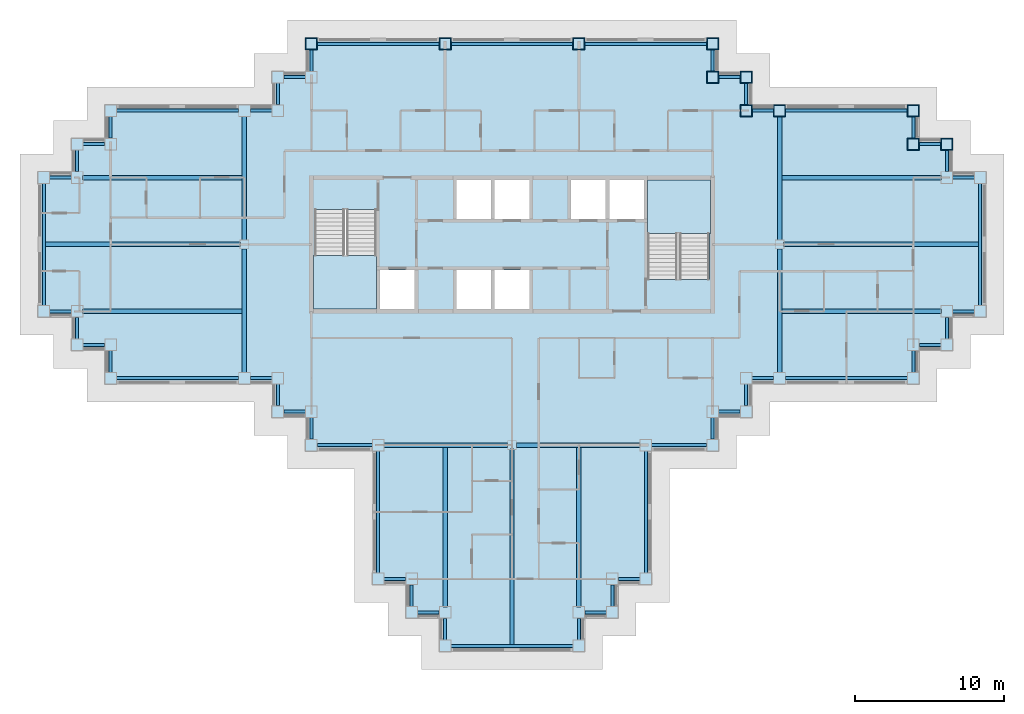
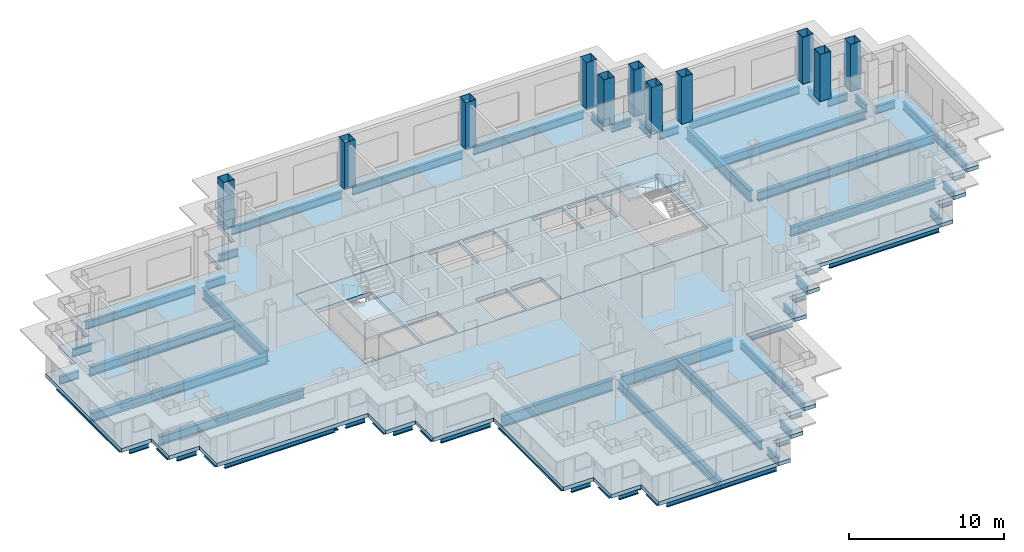
# One storey, part 2 of 13: 69 beams, 11 columns, 4 slabs, 2 elements without a shape of their own.
"""IFC4 building model written with IfcOpenShell, lengths in metres."""

from ifc_helpers import new_model, si_unit, direction, frame, origin, origin_2d, place, context, subcontext, project, spatial, polyline, hollow_rectangle, i_section, outline, extrude, material, layer, layer_set, material_profile, profile_set, type_object, element, aggregate, save


model = new_model("IFC4")

# Units and contexts
model_context = context("Model", 3, precision=1e-05, world=origin(), true_north=direction((0.0, 1.0)))
body_context = subcontext(model_context, "Body", "Model", "MODEL_VIEW")
ifc_project = project(units=[si_unit("LENGTHUNIT", "METRE"), si_unit("AREAUNIT", "SQUARE_METRE"), si_unit("VOLUMEUNIT", "CUBIC_METRE"), si_unit("PLANEANGLEUNIT", "RADIAN"), si_unit("MASSUNIT", "GRAM", prefix="KILO")], contexts=[model_context])

# Site, building, storey
site_placement = place(None, origin())
site = spatial("IfcSite", under=ifc_project, at=site_placement, CompositionType="ELEMENT")
building_placement = place(site_placement, origin())
building = spatial("IfcBuilding", under=site, at=building_placement, Name="Caravel Reach Hotel and Residences", CompositionType="ELEMENT")
storey_placement = place(building_placement, frame((0.0, 0.0, 154.300048828125)))
storey = spatial("IfcBuildingStorey", under=building, at=storey_placement, Name="L38", CompositionType="ELEMENT", Elevation=154.300048828125)

# Columns
ifc_material_1 = material(Name="Concrete-filled steel tube Q390B with Concrete C60 infill", Category="concrete")
ifc_material_profile_1 = material_profile(ifc_material_1, hollow_rectangle(XDim=0.800048828125, YDim=0.800048828125, WallThickness=0.02490234375, at=origin_2d()), Name="RHS 800x800x25")
ifc_profile_set_1 = profile_set([ifc_material_profile_1], Name="Concrete-filled steel tube Q390B with Concrete C60 infill")
column_type = type_object("IfcColumnType", Name="CFT 800x800 Q390B C60", PredefinedType="COLUMN", material=ifc_profile_set_1)
for number, where, z_axis, x_axis, name in (
    (1, (60.75, 33.75, 0.0), (0.0, 0.0, 1.0), (1.0, 0.0, 0.0), "C5 column"),
    (2, (58.5, 33.75, 0.0), (0.0, 0.0, 1.0), (1.0, 0.0, 0.0), "C5 column"),
    (3, (58.5, 36.0, 0.0), (0.0, 0.0, 1.0), (1.0, 0.0, 0.0), "C5 column"),
    (4, (49.5, 36.0, 0.0), (0.0, 0.0, 1.0), (1.0, 0.0, 0.0), "C5 column"),
    (5, (47.25, 36.0, 0.0), (0.0, 0.0, 1.0), (1.0, 0.0, 0.0), "C5 column"),
    (6, (47.25, 38.25, 0.0), (0.0, 0.0, 1.0), (1.0, 0.0, 0.0), "C5 column"),
    (7, (45.0, 38.25, 0.0), (0.0, 0.0, 1.0), (1.0, 0.0, 0.0), "C5 column"),
    (8, (45.0, 40.5, 0.0), (0.0, 0.0, 1.0), (1.0, 0.0, 0.0), "C5 column"),
    (9, (36.0, 40.5, 0.0), (0.0, 0.0, 1.0), (1.0, 0.0, 0.0), "C5 column"),
    (10, (27.0, 40.5, 0.0), (0.0, 0.0, 1.0), (1.0, 0.0, 0.0), "C5 column"),
    (11, (18.0, 40.5, 0.0), (0.0, 0.0, 1.0), (1.0, 0.0, 0.0), "C5 column"),
):
    element("IfcColumn", number, at=place(storey_placement, frame(where, z_axis=z_axis, x_axis=x_axis)), inside=storey, type_object=column_type, Name=name, PredefinedType="COLUMN", context=body_context, shape_type="SweptSolid", body=[
        extrude(hollow_rectangle(XDim=0.800048828125, YDim=0.800048828125, WallThickness=0.02490234375, at=origin_2d()), origin(), (0.0, 0.0, 1.0), 3.699951171875),
    ])

# Beams
ifc_material_2 = material(Name="Structural steel Q355B", Category="steel")
ifc_material_profile_2 = material_profile(ifc_material_2, i_section(OverallWidth=0.300048828125, OverallDepth=0.699951171875, WebThickness=0.012939453125, FlangeThickness=0.02392578125, FilletRadius=0.01806640625, at=origin_2d()), Name="HN 700x300x13x24")
ifc_profile_set_2 = profile_set([ifc_material_profile_2], Name="Structural steel Q355B")
beam_type_1 = type_object("IfcBeamType", Name="Beam HN 700x300x13x24", PredefinedType="BEAM", material=ifc_profile_set_2)
beam_1_placement = place(storey_placement, frame((27.0, 13.39990234375, -0.650146484375), z_axis=(0.0, -1.0, 0.0), x_axis=(1.0, 0.0, 0.0)))
element("IfcBeam", 12, at=beam_1_placement, inside=storey, type_object=beam_type_1, Name="B2 HN 700x300x13x24", PredefinedType="BEAM", context=body_context, shape_type="SweptSolid", body=[
    extrude(i_section(OverallWidth=0.300048828125, OverallDepth=0.699951171875, WebThickness=0.012939453125, FlangeThickness=0.02392578125, FilletRadius=0.01806640625, at=origin_2d()), origin(), (0.0, 0.0, 1.0), 10.7998046875),
])
beam_2_placement = place(storey_placement, frame((31.5, 13.25, -0.650146484375), z_axis=(0.0, -1.0, 0.0), x_axis=(1.0, 0.0, 0.0)))
element("IfcBeam", 13, at=beam_2_placement, inside=storey, type_object=beam_type_1, Name="B2 HN 700x300x13x24", PredefinedType="BEAM", context=body_context, shape_type="SweptSolid", body=[
    extrude(i_section(OverallWidth=0.300048828125, OverallDepth=0.699951171875, WebThickness=0.012939453125, FlangeThickness=0.02392578125, FilletRadius=0.01806640625, at=origin_2d()), origin(), (0.0, 0.0, 1.0), 13.14990234375),
])
for number, where, z_axis, x_axis, name in (
    (14, (36.0, 13.39990234375, -0.650146484375), (0.0, -1.0, 0.0), (1.0, 0.0, 0.0), "B2 HN 700x300x13x24"),
    (15, (49.60009765625, 22.5, -0.650146484375), (1.0, 0.0, 0.0), (0.0, 1.0, 0.0), "B2 HN 700x300x13x24"),
):
    element("IfcBeam", number, at=place(storey_placement, frame(where, z_axis=z_axis, x_axis=x_axis)), inside=storey, type_object=beam_type_1, Name=name, PredefinedType="BEAM", context=body_context, shape_type="SweptSolid", body=[
        extrude(i_section(OverallWidth=0.300048828125, OverallDepth=0.699951171875, WebThickness=0.012939453125, FlangeThickness=0.02392578125, FilletRadius=0.01806640625, at=origin_2d()), origin(), (0.0, 0.0, 1.0), 10.7998046875),
    ])
beam_3_placement = place(storey_placement, frame((49.75, 27.0, -0.650146484375), z_axis=(1.0, 0.0, 0.0), x_axis=(0.0, 1.0, 0.0)))
element("IfcBeam", 16, at=beam_3_placement, inside=storey, type_object=beam_type_1, Name="B2 HN 700x300x13x24", PredefinedType="BEAM", context=body_context, shape_type="SweptSolid", body=[
    extrude(i_section(OverallWidth=0.300048828125, OverallDepth=0.699951171875, WebThickness=0.012939453125, FlangeThickness=0.02392578125, FilletRadius=0.01806640625, at=origin_2d()), origin(), (0.0, 0.0, 1.0), 13.14990234375),
])
for number, where, z_axis, x_axis, name in (
    (17, (49.60009765625, 31.5, -0.650146484375), (1.0, 0.0, 0.0), (0.0, 1.0, 0.0), "B2 HN 700x300x13x24"),
    (18, (13.39990234375, 22.5, -0.650146484375), (-1.0, 0.0, 0.0), (0.0, -1.0, 0.0), "B2 HN 700x300x13x24"),
):
    element("IfcBeam", number, at=place(storey_placement, frame(where, z_axis=z_axis, x_axis=x_axis)), inside=storey, type_object=beam_type_1, Name=name, PredefinedType="BEAM", context=body_context, shape_type="SweptSolid", body=[
        extrude(i_section(OverallWidth=0.300048828125, OverallDepth=0.699951171875, WebThickness=0.012939453125, FlangeThickness=0.02392578125, FilletRadius=0.01806640625, at=origin_2d()), origin(), (0.0, 0.0, 1.0), 10.7998046875),
    ])
beam_4_placement = place(storey_placement, frame((13.25, 27.0, -0.650146484375), z_axis=(-1.0, 0.0, 0.0), x_axis=(0.0, -1.0, 0.0)))
element("IfcBeam", 19, at=beam_4_placement, inside=storey, type_object=beam_type_1, Name="B2 HN 700x300x13x24", PredefinedType="BEAM", context=body_context, shape_type="SweptSolid", body=[
    extrude(i_section(OverallWidth=0.300048828125, OverallDepth=0.699951171875, WebThickness=0.012939453125, FlangeThickness=0.02392578125, FilletRadius=0.01806640625, at=origin_2d()), origin(), (0.0, 0.0, 1.0), 13.14990234375),
])
beam_5_placement = place(storey_placement, frame((13.39990234375, 31.5, -0.650146484375), z_axis=(-1.0, 0.0, 0.0), x_axis=(0.0, -1.0, 0.0)))
element("IfcBeam", 20, at=beam_5_placement, inside=storey, type_object=beam_type_1, Name="B2 HN 700x300x13x24", PredefinedType="BEAM", context=body_context, shape_type="SweptSolid", body=[
    extrude(i_section(OverallWidth=0.300048828125, OverallDepth=0.699951171875, WebThickness=0.012939453125, FlangeThickness=0.02392578125, FilletRadius=0.01806640625, at=origin_2d()), origin(), (0.0, 0.0, 1.0), 10.7998046875),
])
ifc_material_3 = material(Name="Structural steel Q355B", Category="steel")
ifc_material_profile_3 = material_profile(ifc_material_3, i_section(OverallWidth=0.300048828125, OverallDepth=0.89990234375, WebThickness=0.01611328125, FlangeThickness=0.028076171875, FilletRadius=0.01806640625, at=origin_2d()), Name="HN 900x300x16x28")
ifc_profile_set_3 = profile_set([ifc_material_profile_3], Name="Structural steel Q355B")
beam_type_2 = type_object("IfcBeamType", Name="Beam HN 900x300x16x28", PredefinedType="BEAM", material=ifc_profile_set_3)
for number, where, z_axis, x_axis, name in (
    (21, (22.89990234375, 13.5, -0.75), (1.0, 0.0, 0.0), (0.0, 1.0, 0.0), "B3 HN 900x300x16x28"),
    (22, (31.800048828125, 13.5, -0.75), (1.0, 0.0, 0.0), (0.0, 1.0, 0.0), "B3 HN 900x300x16x28"),
    (23, (13.5, 18.39990234375, -0.75), (0.0, 1.0, 0.0), (-1.0, 0.0, 0.0), "B3 HN 900x300x16x28"),
    (24, (13.5, 27.300048828125, -0.75), (0.0, 1.0, 0.0), (-1.0, 0.0, 0.0), "B3 HN 900x300x16x28"),
    (25, (49.5, 18.39990234375, -0.75), (0.0, 1.0, 0.0), (-1.0, 0.0, 0.0), "B3 HN 900x300x16x28"),
    (26, (49.5, 27.300048828125, -0.75), (0.0, 1.0, 0.0), (-1.0, 0.0, 0.0), "B3 HN 900x300x16x28"),
):
    element("IfcBeam", number, at=place(storey_placement, frame(where, z_axis=z_axis, x_axis=x_axis)), inside=storey, type_object=beam_type_2, Name=name, PredefinedType="BEAM", context=body_context, shape_type="SweptSolid", body=[
        extrude(i_section(OverallWidth=0.300048828125, OverallDepth=0.89990234375, WebThickness=0.01611328125, FlangeThickness=0.028076171875, FilletRadius=0.01806640625, at=origin_2d()), origin(), (0.0, 0.0, 1.0), 8.300048828125),
    ])
ifc_material_4 = material(Name="Structural steel Q355B", Category="steel")
ifc_material_profile_4 = material_profile(ifc_material_4, i_section(OverallWidth=0.199951171875, OverallDepth=0.60009765625, WebThickness=0.010986328125, FlangeThickness=0.01708984375, FilletRadius=0.012939453125, at=origin_2d()), Name="HN 600x200x11x17")
ifc_profile_set_4 = profile_set([ifc_material_profile_4], Name="Structural steel Q355B")
beam_type_3 = type_object("IfcBeamType", Name="Spandrel beam HN 600x200x11x17", PredefinedType="SPANDREL", material=ifc_profile_set_4)
for number, where, z_axis, x_axis, name in (
    (27, (22.89990234375, 4.5, -0.60009765625), (1.0, 0.0, 0.0), (0.0, 1.0, 0.0), "SP1 HN 600x200x11x17"),
    (28, (24.75, 4.10009765625, -0.60009765625), (0.0, -1.0, 0.0), (1.0, 0.0, 0.0), "SP1 HN 600x200x11x17"),
    (29, (25.14990234375, 2.25, -0.60009765625), (1.0, 0.0, 0.0), (0.0, 1.0, 0.0), "SP1 HN 600x200x11x17"),
    (30, (27.0, 1.85009765625, -0.60009765625), (0.0, -1.0, 0.0), (1.0, 0.0, 0.0), "SP1 HN 600x200x11x17"),
):
    element("IfcBeam", number, at=place(storey_placement, frame(where, z_axis=z_axis, x_axis=x_axis)), inside=storey, type_object=beam_type_3, Name=name, PredefinedType="SPANDREL", context=body_context, shape_type="SweptSolid", body=[
        extrude(i_section(OverallWidth=0.199951171875, OverallDepth=0.60009765625, WebThickness=0.010986328125, FlangeThickness=0.01708984375, FilletRadius=0.012939453125, at=origin_2d()), origin(), (0.0, 0.0, 1.0), 1.4501953125),
    ])
beam_6_placement = place(storey_placement, frame((27.39990234375, 0.0, -0.60009765625), z_axis=(1.0, 0.0, 0.0), x_axis=(0.0, 1.0, 0.0)))
element("IfcBeam", 31, at=beam_6_placement, inside=storey, type_object=beam_type_3, Name="SP1 HN 600x200x11x17", PredefinedType="SPANDREL", context=body_context, shape_type="SweptSolid", body=[
    extrude(i_section(OverallWidth=0.199951171875, OverallDepth=0.60009765625, WebThickness=0.010986328125, FlangeThickness=0.01708984375, FilletRadius=0.012939453125, at=origin_2d()), origin(), (0.0, 0.0, 1.0), 8.2001953125),
])
for number, where, z_axis, x_axis, name in (
    (32, (36.0, 0.39990234375, -0.60009765625), (0.0, 1.0, 0.0), (-1.0, 0.0, 0.0), "SP1 HN 600x200x11x17"),
    (33, (36.39990234375, 2.25, -0.60009765625), (1.0, 0.0, 0.0), (0.0, 1.0, 0.0), "SP1 HN 600x200x11x17"),
    (34, (38.25, 2.64990234375, -0.60009765625), (0.0, 1.0, 0.0), (-1.0, 0.0, 0.0), "SP1 HN 600x200x11x17"),
    (35, (38.64990234375, 4.5, -0.60009765625), (1.0, 0.0, 0.0), (0.0, 1.0, 0.0), "SP1 HN 600x200x11x17"),
):
    element("IfcBeam", number, at=place(storey_placement, frame(where, z_axis=z_axis, x_axis=x_axis)), inside=storey, type_object=beam_type_3, Name=name, PredefinedType="SPANDREL", context=body_context, shape_type="SweptSolid", body=[
        extrude(i_section(OverallWidth=0.199951171875, OverallDepth=0.60009765625, WebThickness=0.010986328125, FlangeThickness=0.01708984375, FilletRadius=0.012939453125, at=origin_2d()), origin(), (0.0, 0.0, 1.0), 1.4501953125),
    ])
beam_7_placement = place(storey_placement, frame((40.5, 4.89990234375, -0.60009765625), z_axis=(0.0, 1.0, 0.0), x_axis=(-1.0, 0.0, 0.0)))
element("IfcBeam", 36, at=beam_7_placement, inside=storey, type_object=beam_type_3, Name="SP1 HN 600x200x11x17", PredefinedType="SPANDREL", context=body_context, shape_type="SweptSolid", body=[
    extrude(i_section(OverallWidth=0.199951171875, OverallDepth=0.60009765625, WebThickness=0.010986328125, FlangeThickness=0.01708984375, FilletRadius=0.012939453125, at=origin_2d()), origin(), (0.0, 0.0, 1.0), 8.2001953125),
])
beam_8_placement = place(storey_placement, frame((40.89990234375, 13.5, -0.60009765625), z_axis=(1.0, 0.0, 0.0), x_axis=(0.0, 1.0, 0.0)))
element("IfcBeam", 37, at=beam_8_placement, inside=storey, type_object=beam_type_3, Name="SP1 HN 600x200x11x17", PredefinedType="SPANDREL", context=body_context, shape_type="SweptSolid", body=[
    extrude(i_section(OverallWidth=0.199951171875, OverallDepth=0.60009765625, WebThickness=0.010986328125, FlangeThickness=0.01708984375, FilletRadius=0.012939453125, at=origin_2d()), origin(), (0.0, 0.0, 1.0), 3.7001953125),
])
for number, where, z_axis, x_axis, name in (
    (38, (45.0, 13.89990234375, -0.60009765625), (0.0, 1.0, 0.0), (-1.0, 0.0, 0.0), "SP1 HN 600x200x11x17"),
    (39, (45.39990234375, 15.75, -0.60009765625), (1.0, 0.0, 0.0), (0.0, 1.0, 0.0), "SP1 HN 600x200x11x17"),
    (40, (47.25, 16.14990234375, -0.60009765625), (0.0, 1.0, 0.0), (-1.0, 0.0, 0.0), "SP1 HN 600x200x11x17"),
    (41, (47.64990234375, 18.0, -0.60009765625), (1.0, 0.0, 0.0), (0.0, 1.0, 0.0), "SP1 HN 600x200x11x17"),
):
    element("IfcBeam", number, at=place(storey_placement, frame(where, z_axis=z_axis, x_axis=x_axis)), inside=storey, type_object=beam_type_3, Name=name, PredefinedType="SPANDREL", context=body_context, shape_type="SweptSolid", body=[
        extrude(i_section(OverallWidth=0.199951171875, OverallDepth=0.60009765625, WebThickness=0.010986328125, FlangeThickness=0.01708984375, FilletRadius=0.012939453125, at=origin_2d()), origin(), (0.0, 0.0, 1.0), 1.4501953125),
    ])
beam_9_placement = place(storey_placement, frame((49.89990234375, 18.0, -0.60009765625), z_axis=(1.0, 0.0, 0.0), x_axis=(0.0, 1.0, 0.0)))
element("IfcBeam", 42, at=beam_9_placement, inside=storey, type_object=beam_type_3, Name="SP1 HN 600x200x11x17", PredefinedType="SPANDREL", context=body_context, shape_type="SweptSolid", body=[
    extrude(i_section(OverallWidth=0.199951171875, OverallDepth=0.60009765625, WebThickness=0.010986328125, FlangeThickness=0.01708984375, FilletRadius=0.012939453125, at=origin_2d()), origin(), (0.0, 0.0, 1.0), 8.2001953125),
])
for number, where, z_axis, x_axis, name in (
    (43, (58.5, 18.39990234375, -0.60009765625), (0.0, 1.0, 0.0), (-1.0, 0.0, 0.0), "SP1 HN 600x200x11x17"),
    (44, (58.89990234375, 20.25, -0.60009765625), (1.0, 0.0, 0.0), (0.0, 1.0, 0.0), "SP1 HN 600x200x11x17"),
    (45, (60.75, 20.64990234375, -0.60009765625), (0.0, 1.0, 0.0), (-1.0, 0.0, 0.0), "SP1 HN 600x200x11x17"),
    (46, (61.14990234375, 22.5, -0.60009765625), (1.0, 0.0, 0.0), (0.0, 1.0, 0.0), "SP1 HN 600x200x11x17"),
):
    element("IfcBeam", number, at=place(storey_placement, frame(where, z_axis=z_axis, x_axis=x_axis)), inside=storey, type_object=beam_type_3, Name=name, PredefinedType="SPANDREL", context=body_context, shape_type="SweptSolid", body=[
        extrude(i_section(OverallWidth=0.199951171875, OverallDepth=0.60009765625, WebThickness=0.010986328125, FlangeThickness=0.01708984375, FilletRadius=0.012939453125, at=origin_2d()), origin(), (0.0, 0.0, 1.0), 1.4501953125),
    ])
beam_10_placement = place(storey_placement, frame((63.0, 22.89990234375, -0.60009765625), z_axis=(0.0, 1.0, 0.0), x_axis=(-1.0, 0.0, 0.0)))
element("IfcBeam", 47, at=beam_10_placement, inside=storey, type_object=beam_type_3, Name="SP1 HN 600x200x11x17", PredefinedType="SPANDREL", context=body_context, shape_type="SweptSolid", body=[
    extrude(i_section(OverallWidth=0.199951171875, OverallDepth=0.60009765625, WebThickness=0.010986328125, FlangeThickness=0.01708984375, FilletRadius=0.012939453125, at=origin_2d()), origin(), (0.0, 0.0, 1.0), 8.2001953125),
])
for number, where, z_axis, x_axis, name in (
    (48, (62.60009765625, 31.5, -0.60009765625), (-1.0, 0.0, 0.0), (0.0, -1.0, 0.0), "SP1 HN 600x200x11x17"),
    (49, (60.75, 31.89990234375, -0.60009765625), (0.0, 1.0, 0.0), (-1.0, 0.0, 0.0), "SP1 HN 600x200x11x17"),
    (50, (60.35009765625, 33.75, -0.60009765625), (-1.0, 0.0, 0.0), (0.0, -1.0, 0.0), "SP1 HN 600x200x11x17"),
    (51, (58.5, 34.14990234375, -0.60009765625), (0.0, 1.0, 0.0), (-1.0, 0.0, 0.0), "SP1 HN 600x200x11x17"),
):
    element("IfcBeam", number, at=place(storey_placement, frame(where, z_axis=z_axis, x_axis=x_axis)), inside=storey, type_object=beam_type_3, Name=name, PredefinedType="SPANDREL", context=body_context, shape_type="SweptSolid", body=[
        extrude(i_section(OverallWidth=0.199951171875, OverallDepth=0.60009765625, WebThickness=0.010986328125, FlangeThickness=0.01708984375, FilletRadius=0.012939453125, at=origin_2d()), origin(), (0.0, 0.0, 1.0), 1.4501953125),
    ])
beam_11_placement = place(storey_placement, frame((58.10009765625, 36.0, -0.60009765625), z_axis=(-1.0, 0.0, 0.0), x_axis=(0.0, -1.0, 0.0)))
element("IfcBeam", 52, at=beam_11_placement, inside=storey, type_object=beam_type_3, Name="SP1 HN 600x200x11x17", PredefinedType="SPANDREL", context=body_context, shape_type="SweptSolid", body=[
    extrude(i_section(OverallWidth=0.199951171875, OverallDepth=0.60009765625, WebThickness=0.010986328125, FlangeThickness=0.01708984375, FilletRadius=0.012939453125, at=origin_2d()), origin(), (0.0, 0.0, 1.0), 8.2001953125),
])
for number, where, z_axis, x_axis, name in (
    (53, (49.10009765625, 36.0, -0.60009765625), (-1.0, 0.0, 0.0), (0.0, -1.0, 0.0), "SP1 HN 600x200x11x17"),
    (54, (47.25, 36.39990234375, -0.60009765625), (0.0, 1.0, 0.0), (-1.0, 0.0, 0.0), "SP1 HN 600x200x11x17"),
    (55, (46.85009765625, 38.25, -0.60009765625), (-1.0, 0.0, 0.0), (0.0, -1.0, 0.0), "SP1 HN 600x200x11x17"),
    (56, (45.0, 38.64990234375, -0.60009765625), (0.0, 1.0, 0.0), (-1.0, 0.0, 0.0), "SP1 HN 600x200x11x17"),
):
    element("IfcBeam", number, at=place(storey_placement, frame(where, z_axis=z_axis, x_axis=x_axis)), inside=storey, type_object=beam_type_3, Name=name, PredefinedType="SPANDREL", context=body_context, shape_type="SweptSolid", body=[
        extrude(i_section(OverallWidth=0.199951171875, OverallDepth=0.60009765625, WebThickness=0.010986328125, FlangeThickness=0.01708984375, FilletRadius=0.012939453125, at=origin_2d()), origin(), (0.0, 0.0, 1.0), 1.4501953125),
    ])
for number, where, z_axis, x_axis, name in (
    (57, (44.60009765625, 40.5, -0.60009765625), (-1.0, 0.0, 0.0), (0.0, -1.0, 0.0), "SP1 HN 600x200x11x17"),
    (58, (35.60009765625, 40.5, -0.60009765625), (-1.0, 0.0, 0.0), (0.0, -1.0, 0.0), "SP1 HN 600x200x11x17"),
    (59, (26.60009765625, 40.5, -0.60009765625), (-1.0, 0.0, 0.0), (0.0, -1.0, 0.0), "SP1 HN 600x200x11x17"),
):
    element("IfcBeam", number, at=place(storey_placement, frame(where, z_axis=z_axis, x_axis=x_axis)), inside=storey, type_object=beam_type_3, Name=name, PredefinedType="SPANDREL", context=body_context, shape_type="SweptSolid", body=[
        extrude(i_section(OverallWidth=0.199951171875, OverallDepth=0.60009765625, WebThickness=0.010986328125, FlangeThickness=0.01708984375, FilletRadius=0.012939453125, at=origin_2d()), origin(), (0.0, 0.0, 1.0), 8.2001953125),
    ])
for number, where, z_axis, x_axis, name in (
    (60, (18.0, 40.10009765625, -0.60009765625), (0.0, -1.0, 0.0), (1.0, 0.0, 0.0), "SP1 HN 600x200x11x17"),
    (61, (17.60009765625, 38.25, -0.60009765625), (-1.0, 0.0, 0.0), (0.0, -1.0, 0.0), "SP1 HN 600x200x11x17"),
    (62, (15.75, 37.85009765625, -0.60009765625), (0.0, -1.0, 0.0), (1.0, 0.0, 0.0), "SP1 HN 600x200x11x17"),
    (63, (15.35009765625, 36.0, -0.60009765625), (-1.0, 0.0, 0.0), (0.0, -1.0, 0.0), "SP1 HN 600x200x11x17"),
):
    element("IfcBeam", number, at=place(storey_placement, frame(where, z_axis=z_axis, x_axis=x_axis)), inside=storey, type_object=beam_type_3, Name=name, PredefinedType="SPANDREL", context=body_context, shape_type="SweptSolid", body=[
        extrude(i_section(OverallWidth=0.199951171875, OverallDepth=0.60009765625, WebThickness=0.010986328125, FlangeThickness=0.01708984375, FilletRadius=0.012939453125, at=origin_2d()), origin(), (0.0, 0.0, 1.0), 1.4501953125),
    ])
beam_12_placement = place(storey_placement, frame((13.10009765625, 36.0, -0.60009765625), z_axis=(-1.0, 0.0, 0.0), x_axis=(0.0, -1.0, 0.0)))
element("IfcBeam", 64, at=beam_12_placement, inside=storey, type_object=beam_type_3, Name="SP1 HN 600x200x11x17", PredefinedType="SPANDREL", context=body_context, shape_type="SweptSolid", body=[
    extrude(i_section(OverallWidth=0.199951171875, OverallDepth=0.60009765625, WebThickness=0.010986328125, FlangeThickness=0.01708984375, FilletRadius=0.012939453125, at=origin_2d()), origin(), (0.0, 0.0, 1.0), 8.2001953125),
])
for number, where, z_axis, x_axis, name in (
    (65, (4.5, 35.60009765625, -0.60009765625), (0.0, -1.0, 0.0), (1.0, 0.0, 0.0), "SP1 HN 600x200x11x17"),
    (66, (4.10009765625, 33.75, -0.60009765625), (-1.0, 0.0, 0.0), (0.0, -1.0, 0.0), "SP1 HN 600x200x11x17"),
    (67, (2.25, 33.35009765625, -0.60009765625), (0.0, -1.0, 0.0), (1.0, 0.0, 0.0), "SP1 HN 600x200x11x17"),
    (68, (1.85009765625, 31.5, -0.60009765625), (-1.0, 0.0, 0.0), (0.0, -1.0, 0.0), "SP1 HN 600x200x11x17"),
):
    element("IfcBeam", number, at=place(storey_placement, frame(where, z_axis=z_axis, x_axis=x_axis)), inside=storey, type_object=beam_type_3, Name=name, PredefinedType="SPANDREL", context=body_context, shape_type="SweptSolid", body=[
        extrude(i_section(OverallWidth=0.199951171875, OverallDepth=0.60009765625, WebThickness=0.010986328125, FlangeThickness=0.01708984375, FilletRadius=0.012939453125, at=origin_2d()), origin(), (0.0, 0.0, 1.0), 1.4501953125),
    ])
beam_13_placement = place(storey_placement, frame((0.0, 31.10009765625, -0.60009765625), z_axis=(0.0, -1.0, 0.0), x_axis=(1.0, 0.0, 0.0)))
element("IfcBeam", 69, at=beam_13_placement, inside=storey, type_object=beam_type_3, Name="SP1 HN 600x200x11x17", PredefinedType="SPANDREL", context=body_context, shape_type="SweptSolid", body=[
    extrude(i_section(OverallWidth=0.199951171875, OverallDepth=0.60009765625, WebThickness=0.010986328125, FlangeThickness=0.01708984375, FilletRadius=0.012939453125, at=origin_2d()), origin(), (0.0, 0.0, 1.0), 8.2001953125),
])
for number, where, z_axis, x_axis, name in (
    (70, (0.39990234375, 22.5, -0.60009765625), (1.0, 0.0, 0.0), (0.0, 1.0, 0.0), "SP1 HN 600x200x11x17"),
    (71, (2.25, 22.10009765625, -0.60009765625), (0.0, -1.0, 0.0), (1.0, 0.0, 0.0), "SP1 HN 600x200x11x17"),
    (72, (2.64990234375, 20.25, -0.60009765625), (1.0, 0.0, 0.0), (0.0, 1.0, 0.0), "SP1 HN 600x200x11x17"),
    (73, (4.5, 19.85009765625, -0.60009765625), (0.0, -1.0, 0.0), (1.0, 0.0, 0.0), "SP1 HN 600x200x11x17"),
):
    element("IfcBeam", number, at=place(storey_placement, frame(where, z_axis=z_axis, x_axis=x_axis)), inside=storey, type_object=beam_type_3, Name=name, PredefinedType="SPANDREL", context=body_context, shape_type="SweptSolid", body=[
        extrude(i_section(OverallWidth=0.199951171875, OverallDepth=0.60009765625, WebThickness=0.010986328125, FlangeThickness=0.01708984375, FilletRadius=0.012939453125, at=origin_2d()), origin(), (0.0, 0.0, 1.0), 1.4501953125),
    ])
beam_14_placement = place(storey_placement, frame((4.89990234375, 18.0, -0.60009765625), z_axis=(1.0, 0.0, 0.0), x_axis=(0.0, 1.0, 0.0)))
element("IfcBeam", 74, at=beam_14_placement, inside=storey, type_object=beam_type_3, Name="SP1 HN 600x200x11x17", PredefinedType="SPANDREL", context=body_context, shape_type="SweptSolid", body=[
    extrude(i_section(OverallWidth=0.199951171875, OverallDepth=0.60009765625, WebThickness=0.010986328125, FlangeThickness=0.01708984375, FilletRadius=0.012939453125, at=origin_2d()), origin(), (0.0, 0.0, 1.0), 8.2001953125),
])
for number, where, z_axis, x_axis, name in (
    (75, (13.89990234375, 18.0, -0.60009765625), (1.0, 0.0, 0.0), (0.0, 1.0, 0.0), "SP1 HN 600x200x11x17"),
    (76, (15.75, 17.60009765625, -0.60009765625), (0.0, -1.0, 0.0), (1.0, 0.0, 0.0), "SP1 HN 600x200x11x17"),
    (77, (16.14990234375, 15.75, -0.60009765625), (1.0, 0.0, 0.0), (0.0, 1.0, 0.0), "SP1 HN 600x200x11x17"),
    (78, (18.0, 15.35009765625, -0.60009765625), (0.0, -1.0, 0.0), (1.0, 0.0, 0.0), "SP1 HN 600x200x11x17"),
):
    element("IfcBeam", number, at=place(storey_placement, frame(where, z_axis=z_axis, x_axis=x_axis)), inside=storey, type_object=beam_type_3, Name=name, PredefinedType="SPANDREL", context=body_context, shape_type="SweptSolid", body=[
        extrude(i_section(OverallWidth=0.199951171875, OverallDepth=0.60009765625, WebThickness=0.010986328125, FlangeThickness=0.01708984375, FilletRadius=0.012939453125, at=origin_2d()), origin(), (0.0, 0.0, 1.0), 1.4501953125),
    ])
beam_15_placement = place(storey_placement, frame((18.39990234375, 13.5, -0.60009765625), z_axis=(1.0, 0.0, 0.0), x_axis=(0.0, 1.0, 0.0)))
element("IfcBeam", 79, at=beam_15_placement, inside=storey, type_object=beam_type_3, Name="SP1 HN 600x200x11x17", PredefinedType="SPANDREL", context=body_context, shape_type="SweptSolid", body=[
    extrude(i_section(OverallWidth=0.199951171875, OverallDepth=0.60009765625, WebThickness=0.010986328125, FlangeThickness=0.01708984375, FilletRadius=0.012939453125, at=origin_2d()), origin(), (0.0, 0.0, 1.0), 3.7001953125),
])
beam_16_placement = place(storey_placement, frame((22.5, 13.10009765625, -0.60009765625), z_axis=(0.0, -1.0, 0.0), x_axis=(1.0, 0.0, 0.0)))
element("IfcBeam", 80, at=beam_16_placement, inside=storey, type_object=beam_type_3, Name="SP1 HN 600x200x11x17", PredefinedType="SPANDREL", context=body_context, shape_type="SweptSolid", body=[
    extrude(i_section(OverallWidth=0.199951171875, OverallDepth=0.60009765625, WebThickness=0.010986328125, FlangeThickness=0.01708984375, FilletRadius=0.012939453125, at=origin_2d()), origin(), (0.0, 0.0, 1.0), 8.2001953125),
])

# Slab
ifc_material_5 = material(Name="Concrete C40", Category="concrete")
ifc_layer_1 = layer(ifc_material_5, 0.300048828125)
ifc_layer_set_1 = layer_set([ifc_layer_1], Name="Core floor slab 300 mm")
slab_type_1 = type_object("IfcSlabType", Name="Core floor slab 300 mm", PredefinedType="FLOOR", material=ifc_layer_set_1)
slab_1_placement = place(storey_placement, frame((0.0, 0.0, -0.300048828125)))
element("IfcSlab", 81, at=slab_1_placement, inside=storey, type_object=slab_type_1, Name="L38 core floor", PredefinedType="FLOOR", context=body_context, shape_type="SweptSolid", body=[
    extrude(outline(polyline([(18.0, 31.5), (45.0, 31.5), (45.0, 22.5), (18.0, 22.5), (18.0, 31.5)]), holes=[polyline([(22.625, 25.27490234375), (22.625, 22.64990234375), (24.9462890625, 22.64990234375), (24.9462890625, 25.27490234375), (22.625, 25.27490234375)]), polyline([(27.767822265625, 25.27490234375), (27.767822265625, 22.64990234375), (30.08935546875, 22.64990234375), (30.08935546875, 25.27490234375), (27.767822265625, 25.27490234375)]), polyline([(30.33935546875, 25.27490234375), (30.33935546875, 22.64990234375), (32.66064453125, 22.64990234375), (32.66064453125, 25.27490234375), (30.33935546875, 25.27490234375)]), polyline([(22.375, 22.64990234375), (22.375, 29.35009765625), (18.22509765625, 29.35009765625), (18.22509765625, 22.64990234375), (22.375, 22.64990234375)]), polyline([(40.625, 31.35009765625), (40.625, 24.64990234375), (44.77490234375, 24.64990234375), (44.77490234375, 31.35009765625), (40.625, 31.35009765625)]), polyline([(27.767822265625, 31.35009765625), (27.767822265625, 28.72509765625), (30.08935546875, 28.72509765625), (30.08935546875, 31.35009765625), (27.767822265625, 31.35009765625)]), polyline([(30.33935546875, 31.35009765625), (30.33935546875, 28.72509765625), (32.66064453125, 28.72509765625), (32.66064453125, 31.35009765625), (30.33935546875, 31.35009765625)]), polyline([(37.8037109375, 31.35009765625), (35.482177734375, 31.35009765625), (35.482177734375, 28.72509765625), (37.8037109375, 28.72509765625), (37.8037109375, 31.35009765625)]), polyline([(40.375, 31.35009765625), (38.0537109375, 31.35009765625), (38.0537109375, 28.72509765625), (40.375, 28.72509765625), (40.375, 31.35009765625)])]), origin(), (0.0, 0.0, 1.0), 0.300048828125),
])

# Stair, slab
ifc_material_6 = material(Name="Concrete C40", Category="concrete")
stair_type = type_object("IfcStairType", Name="Core stair", PredefinedType="HALF_TURN_STAIR", material=ifc_material_6)
stair_1_placement = place(storey_placement, origin())
stair_1 = element("IfcStair", 82, at=stair_1_placement, inside=storey, type_object=stair_type, Name="L38 Exit stair A", PredefinedType="HALF_TURN_STAIR")
ifc_material_7 = material(Name="Concrete C40", Category="concrete")
ifc_layer_2 = layer(ifc_material_7, 0.199951171875)
ifc_layer_set_2 = layer_set([ifc_layer_2], Name="Core stair landing")
slab_type_2 = type_object("IfcSlabType", Name="Core stair landing", PredefinedType="LANDING", material=ifc_layer_set_2)
slab_2_placement = place(storey_placement, frame((0.0, 0.0, 1.64990234375)))
slab_2 = element("IfcSlab", 83, at=slab_2_placement, type_object=slab_type_2, Name="ST-A landing 1", PredefinedType="LANDING", context=body_context, shape_type="SweptSolid", body=[
    extrude(outline(polyline([(18.14990234375, 26.27001953125), (18.14990234375, 22.64990234375), (22.375, 22.64990234375), (22.375, 26.27001953125), (18.14990234375, 26.27001953125)])), origin(), (0.0, 0.0, 1.0), 0.199951171875),
])
aggregate(stair_1, [slab_2])

stair_2_placement = place(storey_placement, origin())
stair_2 = element("IfcStair", 84, at=stair_2_placement, inside=storey, type_object=stair_type, Name="L38 Exit stair B", PredefinedType="HALF_TURN_STAIR")
slab_3_placement = place(storey_placement, frame((0.0, 0.0, 1.64990234375)))
slab_3 = element("IfcSlab", 85, at=slab_3_placement, type_object=slab_type_2, Name="ST-B landing 1", PredefinedType="LANDING", context=body_context, shape_type="SweptSolid", body=[
    extrude(outline(polyline([(44.85009765625, 27.72998046875), (44.85009765625, 31.35009765625), (40.625, 31.35009765625), (40.625, 27.72998046875), (44.85009765625, 27.72998046875)])), origin(), (0.0, 0.0, 1.0), 0.199951171875),
])
aggregate(stair_2, [slab_3])

# Slab
ifc_material_8 = material(Name="Concrete C40 post-tensioned", Category="concrete")
ifc_layer_3 = layer(ifc_material_8, 0.300048828125)
ifc_layer_set_3 = layer_set([ifc_layer_3], Name="Floor slab 300")
slab_type_3 = type_object("IfcSlabType", Name="Floor slab 300", PredefinedType="FLOOR", material=ifc_layer_set_3)
slab_4_placement = place(storey_placement, frame((0.0, 0.0, -0.300048828125)))
element("IfcSlab", 86, at=slab_4_placement, inside=storey, type_object=slab_type_3, Name="S2 slab L38", PredefinedType="FLOOR", context=body_context, shape_type="SweptSolid", body=[
    extrude(outline(polyline([(17.60009765625, 13.10009765625), (17.60009765625, 15.35009765625), (15.35009765625, 15.35009765625), (15.35009765625, 17.60009765625), (4.10009765625, 17.60009765625), (4.10009765625, 19.85009765625), (1.85009765625, 19.85009765625), (1.85009765625, 22.10009765625), (-0.39990234375, 22.10009765625), (-0.39990234375, 31.89990234375), (1.85009765625, 31.89990234375), (1.85009765625, 34.14990234375), (4.10009765625, 34.14990234375), (4.10009765625, 36.39990234375), (15.35009765625, 36.39990234375), (15.35009765625, 38.64990234375), (17.60009765625, 38.64990234375), (17.60009765625, 40.89990234375), (45.39990234375, 40.89990234375), (45.39990234375, 38.64990234375), (47.64990234375, 38.64990234375), (47.64990234375, 36.39990234375), (58.89990234375, 36.39990234375), (58.89990234375, 34.14990234375), (61.14990234375, 34.14990234375), (61.14990234375, 31.89990234375), (63.39990234375, 31.89990234375), (63.39990234375, 22.10009765625), (61.14990234375, 22.10009765625), (61.14990234375, 19.85009765625), (58.89990234375, 19.85009765625), (58.89990234375, 17.60009765625), (47.64990234375, 17.60009765625), (47.64990234375, 15.35009765625), (45.39990234375, 15.35009765625), (45.39990234375, 13.10009765625), (40.89990234375, 13.10009765625), (40.89990234375, 4.10009765625), (38.64990234375, 4.10009765625), (38.64990234375, 1.85009765625), (36.39990234375, 1.85009765625), (36.39990234375, -0.39990234375), (26.60009765625, -0.39990234375), (26.60009765625, 1.85009765625), (24.35009765625, 1.85009765625), (24.35009765625, 4.10009765625), (22.10009765625, 4.10009765625), (22.10009765625, 13.10009765625), (17.60009765625, 13.10009765625)]), holes=[polyline([(45.0, 31.5), (18.0, 31.5), (18.0, 22.5), (45.0, 22.5), (45.0, 31.5)])]), origin(), (0.0, 0.0, 1.0), 0.300048828125),
])

save(model, "model.ifc")
